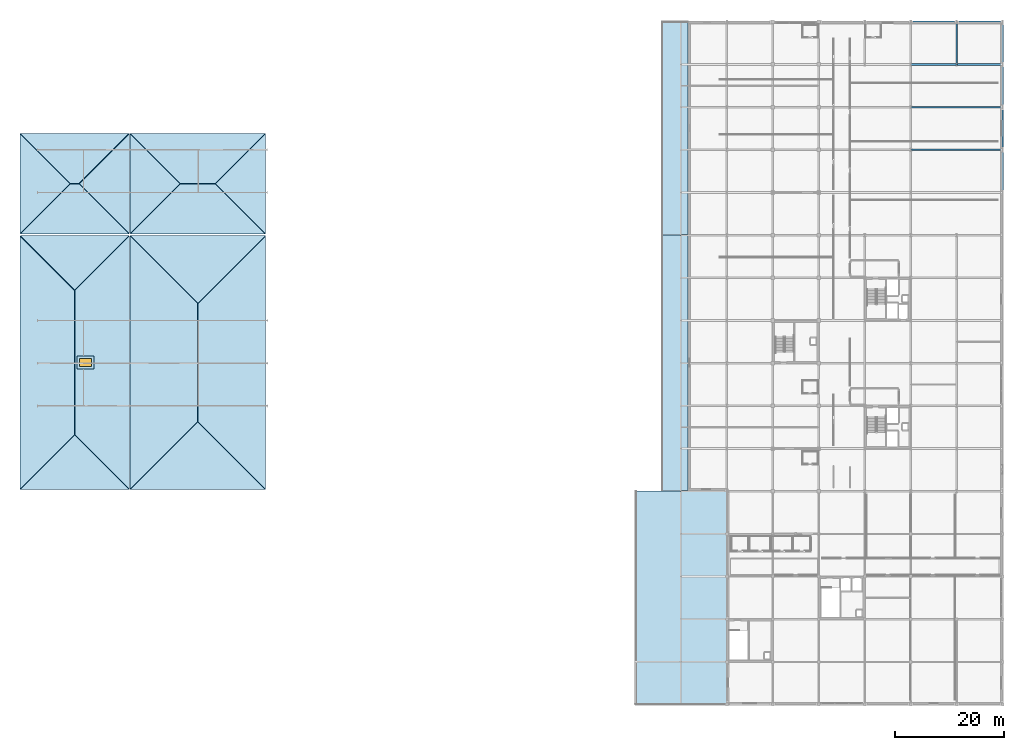
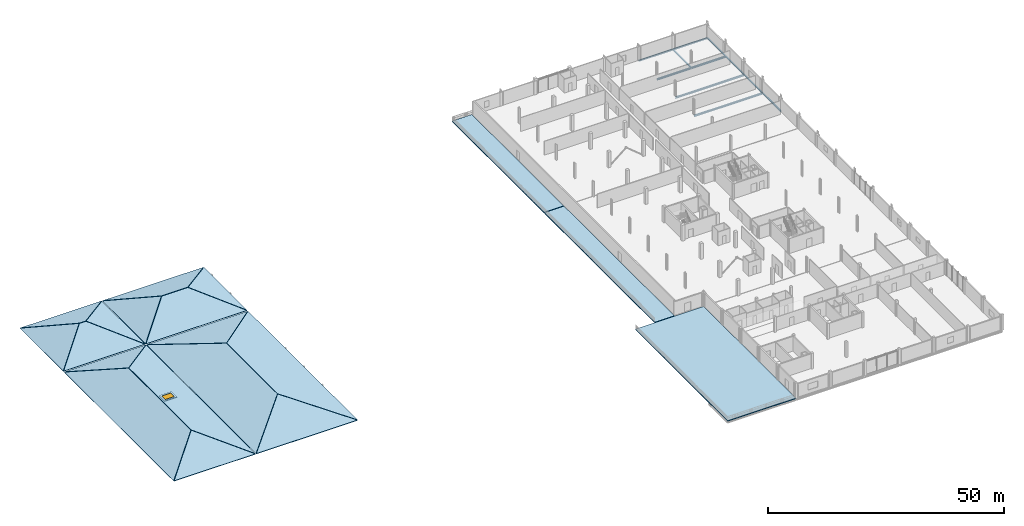
# One storey, part 17 of 41: 20 slabs, 11 beams, 1 window, 1 opening.
"""IFC4 building model written with IfcOpenShell, lengths in metres."""

from ifc_helpers import new_model, si_unit, direction, frame, origin, origin_2d, place, context, subcontext, project, spatial, polyline, rectangle, i_section, outline, extrude, material, layer, layer_set, material_profile, profile_set, type_object, element, fill, save


model = new_model("IFC4")

# Units and contexts
model_context = context("Model", 3, precision=1e-05, world=origin(), true_north=direction((0.0, 1.0)))
body_context = subcontext(model_context, "Body", "Model", "MODEL_VIEW")
ifc_project = project(units=[si_unit("LENGTHUNIT", "METRE"), si_unit("AREAUNIT", "SQUARE_METRE"), si_unit("VOLUMEUNIT", "CUBIC_METRE"), si_unit("PLANEANGLEUNIT", "RADIAN"), si_unit("MASSUNIT", "GRAM", prefix="KILO")], contexts=[model_context])

# Site, building, storey
site_placement = place(None, origin())
site = spatial("IfcSite", under=ifc_project, at=site_placement, CompositionType="ELEMENT")
building_placement = place(site_placement, origin())
building = spatial("IfcBuilding", under=site, at=building_placement, Name="Nabrawat Pavilion Hospital", CompositionType="ELEMENT")
storey_placement = place(building_placement, frame((0.0, 0.0, 18.89990234375)))
storey = spatial("IfcBuildingStorey", under=building, at=storey_placement, Name="L04", CompositionType="ELEMENT", Elevation=18.89990234375)

# Beams
ifc_material_1 = material(Name="Steel S355", Category="steel")
ifc_material_profile_1 = material_profile(ifc_material_1, i_section(OverallWidth=0.300048828125, OverallDepth=0.43994140625, WebThickness=0.011474609375, FlangeThickness=0.02099609375, FilletRadius=0.027099609375, at=origin_2d()), Name="HEA 450")
ifc_profile_set_1 = profile_set([ifc_material_profile_1], Name="Steel S355")
beam_type_1 = type_object("IfcBeamType", Name="Mid-Tier Ward Girder HEA 450", PredefinedType="USERDEFINED", material=ifc_profile_set_1)
for number, where, z_axis, x_axis, name in (
    (1, (176.419921875, 101.39990234375, -0.4599609375), (1.0, 0.0, 0.0), (0.0, 1.0, 0.0), "L04 Primary X Girder 1842"),
    (2, (176.419921875, 109.199951171875, -0.4599609375), (1.0, 0.0, 0.0), (0.0, 1.0, 0.0), "L04 Primary X Girder 1847"),
):
    element("IfcBeam", number, at=place(storey_placement, frame(where, z_axis=z_axis, x_axis=x_axis)), inside=storey, type_object=beam_type_1, Name=name, ObjectType="GIRDER", PredefinedType="USERDEFINED", context=body_context, shape_type="SweptSolid", body=[
        extrude(i_section(OverallWidth=0.300048828125, OverallDepth=0.43994140625, WebThickness=0.011474609375, FlangeThickness=0.02099609375, FilletRadius=0.027099609375, at=origin_2d()), origin(), (0.0, 0.0, 1.0), 16.760009765625),
    ])
beam_1_placement = place(storey_placement, frame((176.419921875, 117.0, -0.4599609375), z_axis=(1.0, 0.0, 0.0), x_axis=(0.0, 1.0, 0.0)))
element("IfcBeam", 3, at=beam_1_placement, inside=storey, type_object=beam_type_1, Name="L04 Primary X Girder 1853", ObjectType="GIRDER", PredefinedType="USERDEFINED", context=body_context, shape_type="SweptSolid", body=[
    extrude(i_section(OverallWidth=0.300048828125, OverallDepth=0.43994140625, WebThickness=0.011474609375, FlangeThickness=0.02099609375, FilletRadius=0.027099609375, at=origin_2d()), origin(), (0.0, 0.0, 1.0), 8.360107421875),
])
beam_2_placement = place(storey_placement, frame((184.820068359375, 117.0, -0.4599609375), z_axis=(1.0, 0.0, 0.0), x_axis=(0.0, 1.0, 0.0)))
element("IfcBeam", 4, at=beam_2_placement, inside=storey, type_object=beam_type_1, Name="L04 Primary X Girder 1854", ObjectType="GIRDER", PredefinedType="USERDEFINED", context=body_context, shape_type="SweptSolid", body=[
    extrude(i_section(OverallWidth=0.300048828125, OverallDepth=0.43994140625, WebThickness=0.011474609375, FlangeThickness=0.02099609375, FilletRadius=0.027099609375, at=origin_2d()), origin(), (0.0, 0.0, 1.0), 8.35986328125),
])
ifc_material_profile_2 = material_profile(ifc_material_1, i_section(OverallWidth=0.280029296875, OverallDepth=0.280029296875, WebThickness=0.010498046875, FlangeThickness=0.01806640625, FilletRadius=0.02392578125, at=origin_2d()), Name="HEB 280")
ifc_profile_set_2 = profile_set([ifc_material_profile_2], Name="Steel S355")
beam_type_2 = type_object("IfcBeamType", Name="Upper Terrace Edge Spandrel HEB 280", PredefinedType="SPANDREL", material=ifc_profile_set_2)
beam_3_placement = place(storey_placement, frame((193.199951171875, 93.6201171875, -0.3798828125), z_axis=(0.0, 1.0, 0.0), x_axis=(-1.0, 0.0, 0.0)))
element("IfcBeam", 5, at=beam_3_placement, inside=storey, type_object=beam_type_2, Name="L04 Primary Y Beam 1972", PredefinedType="SPANDREL", context=body_context, shape_type="SweptSolid", body=[
    extrude(i_section(OverallWidth=0.280029296875, OverallDepth=0.280029296875, WebThickness=0.010498046875, FlangeThickness=0.01806640625, FilletRadius=0.02392578125, at=origin_2d()), origin(), (0.0, 0.0, 1.0), 7.759765625),
])
for number, where, z_axis, x_axis, name in (
    (6, (193.199951171875, 101.419921875, -0.3798828125), (0.0, 1.0, 0.0), (-1.0, 0.0, 0.0), "L04 Primary Y Beam 1973"),
    (7, (193.199951171875, 109.219970703125, -0.3798828125), (0.0, 1.0, 0.0), (-1.0, 0.0, 0.0), "L04 Primary Y Beam 1974"),
    (8, (193.199951171875, 117.02001953125, -0.3798828125), (0.0, 1.0, 0.0), (-1.0, 0.0, 0.0), "L04 Primary Y Beam 1975"),
):
    element("IfcBeam", number, at=place(storey_placement, frame(where, z_axis=z_axis, x_axis=x_axis)), inside=storey, type_object=beam_type_2, Name=name, PredefinedType="SPANDREL", context=body_context, shape_type="SweptSolid", body=[
        extrude(i_section(OverallWidth=0.280029296875, OverallDepth=0.280029296875, WebThickness=0.010498046875, FlangeThickness=0.01806640625, FilletRadius=0.02392578125, at=origin_2d()), origin(), (0.0, 0.0, 1.0), 7.760009765625),
    ])
ifc_material_profile_3 = material_profile(ifc_material_1, i_section(OverallWidth=0.300048828125, OverallDepth=0.340087890625, WebThickness=0.011962890625, FlangeThickness=0.021484375, FilletRadius=0.027099609375, at=origin_2d()), Name="HEB 340")
ifc_profile_set_3 = profile_set([ifc_material_profile_3], Name="Steel S355")
beam_type_3 = type_object("IfcBeamType", Name="Ward Perimeter Spandrel Beam HEB 340", PredefinedType="SPANDREL", material=ifc_profile_set_3)
beam_4_placement = place(storey_placement, frame((176.419921875, 124.800048828125, -0.409912109375), z_axis=(1.0, 0.0, 0.0), x_axis=(0.0, 1.0, 0.0)))
element("IfcBeam", 9, at=beam_4_placement, inside=storey, type_object=beam_type_3, Name="L04 Primary X Girder 1860", PredefinedType="SPANDREL", context=body_context, shape_type="SweptSolid", body=[
    extrude(i_section(OverallWidth=0.300048828125, OverallDepth=0.340087890625, WebThickness=0.011962890625, FlangeThickness=0.021484375, FilletRadius=0.027099609375, at=origin_2d()), origin(), (0.0, 0.0, 1.0), 8.360107421875),
])
beam_5_placement = place(storey_placement, frame((184.820068359375, 124.800048828125, -0.409912109375), z_axis=(1.0, 0.0, 0.0), x_axis=(0.0, 1.0, 0.0)))
element("IfcBeam", 10, at=beam_5_placement, inside=storey, type_object=beam_type_3, Name="L04 Primary X Girder 1861", PredefinedType="SPANDREL", context=body_context, shape_type="SweptSolid", body=[
    extrude(i_section(OverallWidth=0.300048828125, OverallDepth=0.340087890625, WebThickness=0.011962890625, FlangeThickness=0.021484375, FilletRadius=0.027099609375, at=origin_2d()), origin(), (0.0, 0.0, 1.0), 8.35986328125),
])
ifc_material_profile_4 = material_profile(ifc_material_1, i_section(OverallWidth=0.300048828125, OverallDepth=0.31005859375, WebThickness=0.009033203125, FlangeThickness=0.015380859375, FilletRadius=0.027099609375, at=origin_2d()), Name="HEA 320")
ifc_profile_set_4 = profile_set([ifc_material_profile_4], Name="Steel S355")
beam_type_4 = type_object("IfcBeamType", Name="Ward Spine Beam HEA 320", PredefinedType="BEAM", material=ifc_profile_set_4)
beam_6_placement = place(storey_placement, frame((184.800048828125, 117.02001953125, -0.39501953125), z_axis=(0.0, 1.0, 0.0), x_axis=(-1.0, 0.0, 0.0)))
element("IfcBeam", 11, at=beam_6_placement, inside=storey, type_object=beam_type_4, Name="L04 Primary Y Beam 1959", PredefinedType="BEAM", context=body_context, shape_type="SweptSolid", body=[
    extrude(i_section(OverallWidth=0.300048828125, OverallDepth=0.31005859375, WebThickness=0.009033203125, FlangeThickness=0.015380859375, FilletRadius=0.027099609375, at=origin_2d()), origin(), (0.0, 0.0, 1.0), 7.760009765625),
])

# Slabs
ifc_material_2 = material(Name="Concrete C35/45", Category="concrete")
ifc_layer_1 = layer(ifc_material_2, 0.239990234375, Name="Concrete C35/45")
ifc_layer_set_1 = layer_set([ifc_layer_1], Name="Concrete C35/45")
slab_type_1 = type_object("IfcSlabType", Name="Exterior Podium Terrace Slab 240", PredefinedType="FLOOR", material=ifc_layer_set_1)
slab_1_placement = place(storey_placement, frame((0.0, 0.0, -0.239990234375)))
element("IfcSlab", 12, at=slab_1_placement, inside=storey, type_object=slab_type_1, Name="L04 Walkable Clinical Terrace Slab T_L04_WARD_STEP2_S", PredefinedType="FLOOR", context=body_context, shape_type="SweptSolid", body=[
    extrude(outline(polyline([(135.719970703125, 39.1201171875), (135.719970703125, 85.800048828125), (130.919921875, 85.800048828125), (130.919921875, 39.1201171875), (135.719970703125, 39.1201171875)])), origin(), (0.0, 0.0, 1.0), 0.239990234375),
])
slab_2_placement = place(storey_placement, frame((0.0, 0.0, -0.239990234375)))
element("IfcSlab", 13, at=slab_2_placement, inside=storey, type_object=slab_type_1, Name="L04 Walkable Clinical Terrace Slab T_L04_WARD_STEP2_N", PredefinedType="FLOOR", context=body_context, shape_type="SweptSolid", body=[
    extrude(outline(polyline([(135.719970703125, 85.919921875), (135.719970703125, 124.800048828125), (130.919921875, 124.800048828125), (130.919921875, 85.919921875), (135.719970703125, 85.919921875)])), origin(), (0.0, 0.0, 1.0), 0.239990234375),
])
ifc_layer_2 = layer(ifc_material_2, 0.219970703125, Name="Concrete C35/45")
ifc_layer_set_2 = layer_set([ifc_layer_2], Name="Concrete C35/45")
slab_type_2 = type_object("IfcSlabType", Name="Exterior Recovery Terrace Slab 220", PredefinedType="FLOOR", material=ifc_layer_set_2)
slab_3_placement = place(storey_placement, frame((0.0, 0.0, -0.219970703125)))
element("IfcSlab", 14, at=slab_3_placement, inside=storey, type_object=slab_type_2, Name="L04 Walkable Clinical Terrace Slab T_L04_V5_WEST", PredefinedType="FLOOR", context=body_context, shape_type="SweptSolid", body=[
    extrude(outline(polyline([(142.800048828125, 0.0), (142.800048828125, 39.0), (126.1201171875, 39.0), (126.1201171875, 0.0), (142.800048828125, 0.0)])), origin(), (0.0, 0.0, 1.0), 0.219970703125),
])
ifc_layer_3 = layer(ifc_material_2, 0.179931640625, Name="Concrete C35/45")
ifc_layer_set_3 = layer_set([ifc_layer_3], Name="Concrete C35/45")
slab_type_3 = type_object("IfcSlabType", Name="Pavilion Hipped Roof Deck Slab 180", PredefinedType="ROOF", material=ifc_layer_set_3)
slab_4_placement = place(storey_placement, frame((13.60009765625, 85.64501953125, 0.0), z_axis=(-0.338735008796, 0.0, 0.940881817135), x_axis=(0.0, -1.0, 0.0)))
element("IfcSlab", 15, at=slab_4_placement, inside=storey, type_object=slab_type_3, Name="Surgical West-South Pavilion West Hipped Roof Facet", PredefinedType="ROOF", context=body_context, shape_type="SweptSolid", body=[
    extrude(outline(polyline([(0.0, 0.0), (46.2900390625, 0.0), (36.343994140625, 10.56968477616843), (9.946044921875, 10.56968477616843), (0.0, 0.0)])), origin(), (0.0, 0.0, -1.0), 0.179931640625),
])
slab_5_placement = place(storey_placement, frame((33.60009765625, 85.64501953125, 0.0), z_axis=(0.338727647329, 0.0, 0.940884467368), x_axis=(-0.685220322193, -0.685287607852, 0.246686044555)))
element("IfcSlab", 16, at=slab_5_placement, inside=storey, type_object=slab_type_3, Name="Surgical West-South Pavilion East Hipped Roof Facet", PredefinedType="ROOF", context=body_context, shape_type="SweptSolid", body=[
    extrude(outline(polyline([(0.0, 0.0), (14.513679815481922, -4.440892098500626e-16), (32.60386728778593, 19.224901564705057), (31.721990136495652, 33.71176438853132), (0.0, 0.0)])), origin(), (0.0, 0.0, -1.0), 0.179931640625),
])
slab_6_placement = place(storey_placement, frame((13.655029296875, 39.300048828125, 0.0), z_axis=(0.0, -0.338727647329, 0.940884467368), x_axis=(1.0, 0.0, 0.0)))
element("IfcSlab", 17, at=slab_6_placement, inside=storey, type_object=slab_type_3, Name="Surgical West-South Pavilion South Hipped Roof Facet", PredefinedType="ROOF", context=body_context, shape_type="SweptSolid", body=[
    extrude(outline(polyline([(0.0, 0.0), (19.889892578125, 0.0), (9.945068359375, 10.569914483966835), (0.0, 0.0)])), origin(), (0.0, 0.0, -1.0), 0.179931640625),
])
slab_7_placement = place(storey_placement, frame((33.544921875, 85.699951171875, 0.0), z_axis=(0.0, 0.338727647329, 0.940884467368), x_axis=(-1.0, 0.0, 0.0)))
element("IfcSlab", 18, at=slab_7_placement, inside=storey, type_object=slab_type_3, Name="Surgical West-South Pavilion North Hipped Roof Facet", PredefinedType="ROOF", context=body_context, shape_type="SweptSolid", body=[
    extrude(outline(polyline([(0.0, 0.0), (19.889892578125, 0.0), (9.94482421875, 10.569914483966835), (0.0, 0.0)])), origin(), (0.0, 0.0, -1.0), 0.179931640625),
])
slab_8_placement = place(storey_placement, frame((33.699951171875, 85.65576171875, 0.0), z_axis=(-0.278823743452, 0.0, 0.960342293189), x_axis=(0.0, -1.0, 0.0)))
element("IfcSlab", 19, at=slab_8_placement, inside=storey, type_object=slab_type_3, Name="Surgical East-South Pavilion West Hipped Roof Facet", PredefinedType="ROOF", context=body_context, shape_type="SweptSolid", body=[
    extrude(outline(polyline([(0.0, 0.0), (46.3115234375, 0.0), (33.954833984375, 12.866201060687622), (12.356689453125, 12.866201060687622), (0.0, 0.0)])), origin(), (0.0, 0.0, -1.0), 0.179931640625),
])
slab_9_placement = place(storey_placement, frame((58.5, 85.65576171875, 0.0), z_axis=(0.278828824498, 0.0, 0.960340817954), x_axis=(-0.69263347646, -0.692688220357, 0.201101707267)))
element("IfcSlab", 20, at=slab_9_placement, inside=storey, type_object=slab_type_3, Name="Surgical East-South Pavilion East Hipped Roof Facet", PredefinedType="ROOF", context=body_context, shape_type="SweptSolid", body=[
    extrude(outline(polyline([(0.0, 0.0), (17.83874633634523, -2.1094237467877974e-15), (32.79952663471257, 15.577384249505688), (32.079446751948744, 33.40159126734828), (0.0, 0.0)])), origin(), (0.0, 0.0, -1.0), 0.179931640625),
])
slab_10_placement = place(storey_placement, frame((33.744140625, 39.300048828125, 0.0), z_axis=(0.0, -0.278828824498, 0.960340817954), x_axis=(1.0, 0.0, 0.0)))
element("IfcSlab", 21, at=slab_10_placement, inside=storey, type_object=slab_type_3, Name="Surgical East-South Pavilion South Hipped Roof Facet", PredefinedType="ROOF", context=body_context, shape_type="SweptSolid", body=[
    extrude(outline(polyline([(0.0, 0.0), (24.711669921875, 0.0), (12.35595703125, 12.86596660230003), (0.0, 0.0)])), origin(), (0.0, 0.0, -1.0), 0.179931640625),
])
slab_11_placement = place(storey_placement, frame((58.455810546875, 85.699951171875, 0.0), z_axis=(0.0, 0.278828824498, 0.960340817954), x_axis=(-1.0, 0.0, 0.0)))
element("IfcSlab", 22, at=slab_11_placement, inside=storey, type_object=slab_type_3, Name="Surgical East-South Pavilion North Hipped Roof Facet", PredefinedType="ROOF", context=body_context, shape_type="SweptSolid", body=[
    extrude(outline(polyline([(0.0, 0.0), (24.711669921875, 0.0), (12.355712890625, 12.86596660230003), (0.0, 0.0)])), origin(), (0.0, 0.0, -1.0), 0.179931640625),
])
for number, where, z_axis, x_axis, name in (
    (23, (13.65966796875, 86.0, 0.0), (0.0, -0.364419981169, 0.931234705821), (1.0, 0.0, 0.0), "Surgical West-North Pavilion South Hipped Roof Facet"),
    (24, (33.540283203125, 104.39990234375, 0.0), (0.0, 0.364419981169, 0.931234705821), (-1.0, 0.0, 0.0), "Surgical West-North Pavilion North Hipped Roof Facet"),
):
    element("IfcSlab", number, at=place(storey_placement, frame(where, z_axis=z_axis, x_axis=x_axis)), inside=storey, type_object=slab_type_3, Name=name, PredefinedType="ROOF", context=body_context, shape_type="SweptSolid", body=[
        extrude(outline(polyline([(0.0, 0.0), (19.880615234375, 0.0), (10.7392578125, 9.815335277178853), (9.141357421875, 9.815335277178853), (0.0, 0.0)])), origin(), (0.0, 0.0, -1.0), 0.179931640625),
    ])
for number, where, z_axis, x_axis, name in (
    (25, (13.60009765625, 104.34033203125, 0.0), (-0.364419981169, 0.0, 0.931234705821), (0.0, -1.0, 0.0), "Surgical West-North Pavilion West Hipped Roof Facet"),
    (26, (33.60009765625, 86.0595703125, 0.0), (0.364419981169, 0.0, 0.931234705821), (0.0, 1.0, 0.0), "Surgical West-North Pavilion East Hipped Roof Facet"),
):
    element("IfcSlab", number, at=place(storey_placement, frame(where, z_axis=z_axis, x_axis=x_axis)), inside=storey, type_object=slab_type_3, Name=name, PredefinedType="ROOF", context=body_context, shape_type="SweptSolid", body=[
        extrude(outline(polyline([(0.0, 0.0), (18.28076171875, 0.0), (9.140380859375, 9.815335277178853), (0.0, 0.0)])), origin(), (0.0, 0.0, -1.0), 0.179931640625),
    ])
for number, where, z_axis, x_axis, name in (
    (27, (33.759521484375, 86.0, 0.0), (0.0, -0.364419981169, 0.931234705821), (1.0, 0.0, 0.0), "Surgical East-North Pavilion South Hipped Roof Facet"),
    (28, (58.4404296875, 104.39990234375, 0.0), (0.0, 0.364419981169, 0.931234705821), (-1.0, 0.0, 0.0), "Surgical East-North Pavilion North Hipped Roof Facet"),
):
    element("IfcSlab", number, at=place(storey_placement, frame(where, z_axis=z_axis, x_axis=x_axis)), inside=storey, type_object=slab_type_3, Name=name, PredefinedType="ROOF", context=body_context, shape_type="SweptSolid", body=[
        extrude(outline(polyline([(0.0, 0.0), (24.680908203125, 0.0), (15.53955078125, 9.815335277178855), (9.141357421875, 9.815335277178855), (0.0, 0.0)])), origin(), (0.0, 0.0, -1.0), 0.179931640625),
    ])
for number, where, z_axis, x_axis, name in (
    (29, (33.699951171875, 104.34033203125, 0.0), (-0.364419981169, 0.0, 0.931234705821), (0.0, -1.0, 0.0), "Surgical East-North Pavilion West Hipped Roof Facet"),
    (30, (58.5, 86.0595703125, 0.0), (0.364419981169, 0.0, 0.931234705821), (0.0, 1.0, 0.0), "Surgical East-North Pavilion East Hipped Roof Facet"),
):
    element("IfcSlab", number, at=place(storey_placement, frame(where, z_axis=z_axis, x_axis=x_axis)), inside=storey, type_object=slab_type_3, Name=name, PredefinedType="ROOF", context=body_context, shape_type="SweptSolid", body=[
        extrude(outline(polyline([(0.0, 0.0), (18.28076171875, 0.0), (9.140380859375, 9.815335277178853), (0.0, 0.0)])), origin(), (0.0, 0.0, -1.0), 0.179931640625),
    ])

# Slab, opening, window
ifc_layer_4 = layer(ifc_material_2, 0.18994140625, Name="Concrete C35/45")
ifc_layer_set_4 = layer_set([ifc_layer_4], Name="Concrete C35/45")
slab_type_4 = type_object("IfcSlabType", Name="Rooflight Monitor Flat Roof Slab 190", PredefinedType="ROOF", material=ifc_layer_set_4)
slab_12_placement = place(storey_placement, frame((0.0, 0.0, 3.426025390625)))
slab_12 = element("IfcSlab", 31, at=slab_12_placement, inside=storey, type_object=slab_type_4, Name="L04 Pavilion Clerestory Skylight Curb Slab 05", PredefinedType="ROOF", context=body_context, shape_type="SweptSolid", body=[
    extrude(outline(polyline([(24.050048828125, 61.300048828125), (27.14990234375, 61.300048828125), (27.14990234375, 63.699951171875), (24.050048828125, 63.699951171875), (24.050048828125, 61.300048828125)]), holes=[polyline([(24.5, 61.75), (24.5, 63.25), (26.699951171875, 63.25), (26.699951171875, 61.75), (24.5, 61.75)])]), origin(), (0.0, 0.0, 1.0), 0.190185546875),
])
opening_placement = place(slab_12_placement, frame((25.60009765625, 62.5, -0.010009765625)))
opening = element("IfcOpeningElement", 32, at=opening_placement, cuts=slab_12, Name="Opening SKY-04", PredefinedType="OPENING", context=body_context, shape_type="SweptSolid", body=[
    extrude(rectangle(XDim=2.199951171875, YDim=1.5, at=origin_2d()), origin(), (0.0, 0.0, 1.0), 0.210205078125),
])
ifc_material_3 = material(Name="Thermally Broken Aluminium and Solar Glass", Category="aluminium")
window_type = type_object("IfcWindowType", Name="Surgical Pavilion Skylight 2200x1500", PartitioningType="SINGLE_PANEL", PredefinedType="SKYLIGHT", material=ifc_material_3)
window_placement = place(opening_placement, frame((0.0, 0.0, 0.150146484375)))
window = element("IfcWindow", 33, at=window_placement, inside=storey, type_object=window_type, Name="L04 Roof Daylight Skylight 11", OverallHeight=1.5, OverallWidth=2.199951171875, PartitioningType="SINGLE_PANEL", PredefinedType="SKYLIGHT", context=body_context, shape_type="SweptSolid", body=[
    extrude(rectangle(XDim=2.199951171875, YDim=1.5, at=origin_2d()), origin(), (0.0, 0.0, 1.0), 0.050048828125),
])
fill(opening, window)

save(model, "model.ifc")
